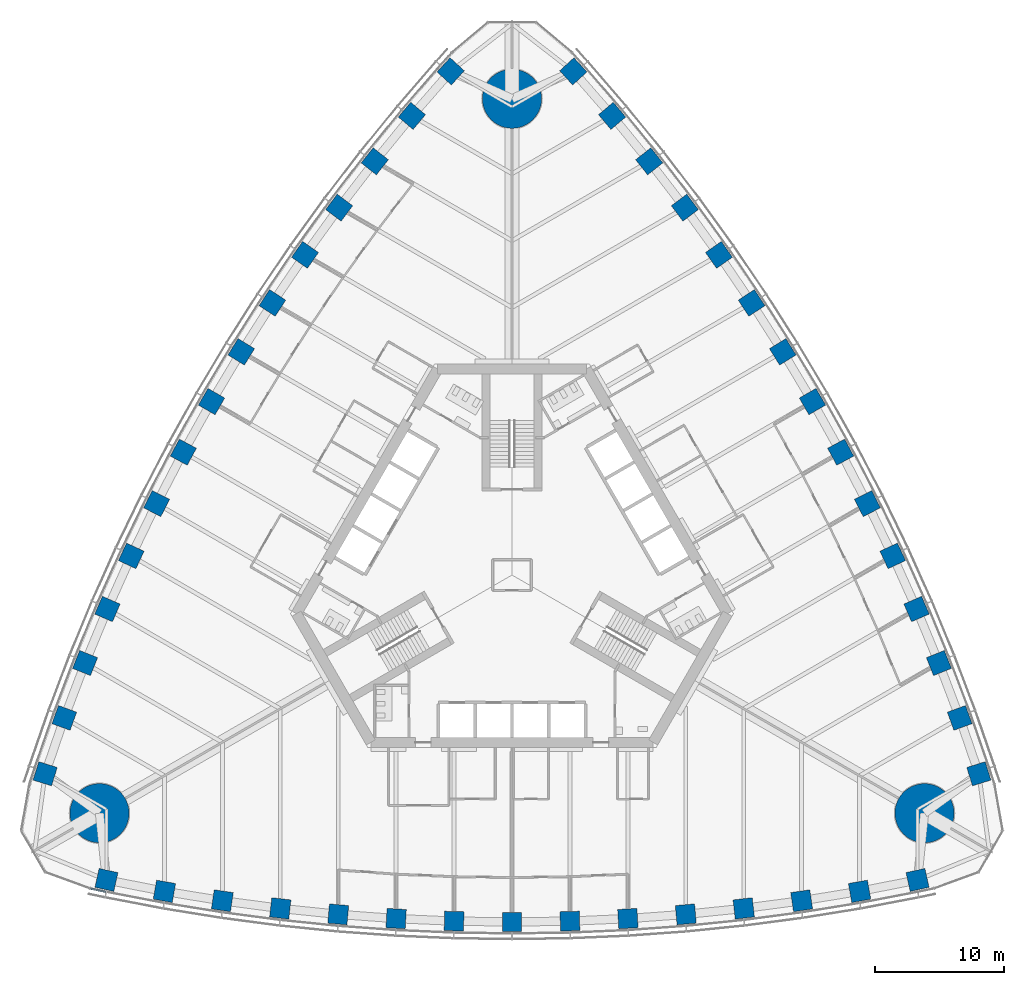
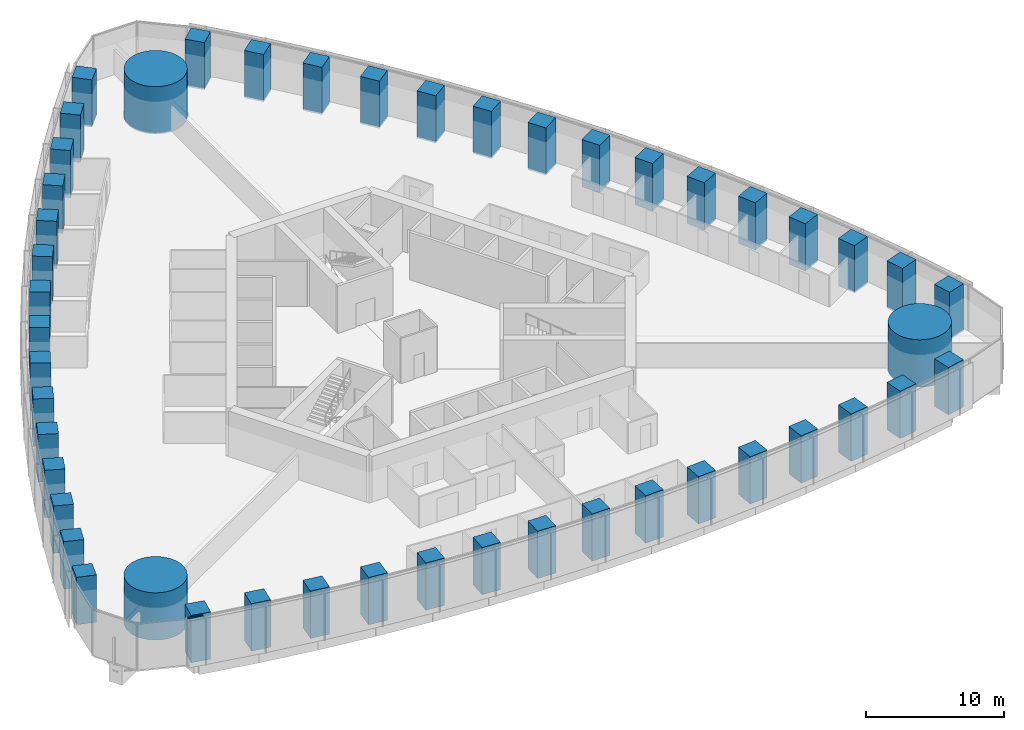
# One storey, part 1 of 18: 48 columns, 1 member, 1 element without a shape of its own.
"""IFC4 building model written with IfcOpenShell, lengths in metres."""

from ifc_helpers import new_model, si_unit, direction, frame, origin, origin_2d, place, context, subcontext, project, spatial, rectangle, circle, extrude, material, material_profile, profile_set, type_object, element, aggregate, save


model = new_model("IFC4")

# Units and contexts
model_context = context("Model", 3, precision=1e-05, world=origin(), true_north=direction((0.0, 1.0)))
body_context = subcontext(model_context, "Body", "Model", "MODEL_VIEW")
ifc_project = project(units=[si_unit("LENGTHUNIT", "METRE"), si_unit("AREAUNIT", "SQUARE_METRE"), si_unit("VOLUMEUNIT", "CUBIC_METRE"), si_unit("PLANEANGLEUNIT", "RADIAN"), si_unit("MASSUNIT", "GRAM", prefix="KILO")], contexts=[model_context])

# Site, building, storey
site_placement = place(None, origin())
site = spatial("IfcSite", under=ifc_project, at=site_placement, CompositionType="ELEMENT")
building_placement = place(site_placement, origin())
building = spatial("IfcBuilding", under=site, at=building_placement, Name="Trefoil Bronze Tower", CompositionType="ELEMENT")
storey_placement = place(building_placement, frame((0.0, 0.0, 29.10009765625)))
storey = spatial("IfcBuildingStorey", under=building, at=storey_placement, Name="L06", CompositionType="ELEMENT", Elevation=29.10009765625)

# Columns
ifc_material_1 = material(Name="Concrete B80", Category="concrete")
ifc_material_profile_1 = material_profile(ifc_material_1, circle(Radius=2.300048828125, at=origin_2d()), Name="RC D4600")
ifc_profile_set_1 = profile_set([ifc_material_profile_1], Name="Concrete B80")
column_type_1 = type_object("IfcColumnType", Name="Mega column RC D4600", PredefinedType="COLUMN", material=ifc_profile_set_1)
for number, where, z_axis, x_axis, name in (
    (1, (32.04296875, -18.5, 0.0), (0.0, 0.0, 1.0), (1.0, 0.0, 0.0), "Mega column K1 L06"),
    (2, (0.0, 37.0, 0.0), (0.0, 0.0, 1.0), (1.0, 0.0, 0.0), "Mega column K2 L06"),
    (3, (-32.04296875, -18.5, 0.0), (0.0, 0.0, 1.0), (1.0, 0.0, 0.0), "Mega column K3 L06"),
):
    element("IfcColumn", number, at=place(storey_placement, frame(where, z_axis=z_axis, x_axis=x_axis)), inside=storey, type_object=column_type_1, Name=name, PredefinedType="COLUMN", context=body_context, shape_type="SweptSolid", body=[
        extrude(circle(Radius=2.300048828125, at=origin_2d()), origin(), (0.0, 0.0, 1.0), 4.199951171875),
    ])
ifc_material_2 = material(Name="Concrete B80", Category="concrete")
ifc_material_profile_2 = material_profile(ifc_material_2, rectangle(XDim=1.5, YDim=1.5, at=origin_2d()), Name="RC 1500x1500")
ifc_profile_set_2 = profile_set([ifc_material_profile_2], Name="Concrete B80")
column_type_2 = type_object("IfcColumnType", Name="Tube column RC 1500x1500", PredefinedType="COLUMN", material=ifc_profile_set_2)
for number, where, z_axis, x_axis, name in (
    (4, (-31.5, -23.684814453125, 0.0), (0.0, 0.0, 1.0), (0.976229647342, -0.216738726697, 0.0), "Tube column F1/-7 L06"),
    (5, (-27.0, -24.56787109375, 0.0), (0.0, 0.0, 1.0), (0.984722470468, -0.174131146426, 0.0), "Tube column F1/-6 L06"),
    (6, (-22.5, -25.29931640625, 0.0), (0.0, 0.0, 1.0), (0.989415676546, -0.145108990094, 0.0), "Tube column F1/-5 L06"),
    (7, (-18.0, -25.895263671875, 0.0), (0.0, 0.0, 1.0), (0.993239048989, -0.116086999973, 0.0), "Tube column F1/-4 L06"),
    (8, (-13.5, -26.35693359375, 0.0), (0.0, 0.0, 1.0), (0.996202620701, -0.087065139456, 0.0), "Tube column F1/-3 L06"),
    (9, (-9.0, -26.68603515625, 0.0), (0.0, 0.0, 1.0), (0.998314062162, -0.058043374207, 0.0), "Tube column F1/-2 L06"),
    (10, (-4.5, -26.883056640625, 0.0), (0.0, 0.0, 1.0), (0.999578782577, -0.029021671584, 0.0), "Tube column F1/-1 L06"),
    (11, (0.0, -26.94873046875, 0.0), (0.0, 0.0, 1.0), (1.0, 0.0, 0.0), "Tube column F1/+0 L06"),
    (12, (4.5, -26.883056640625, 0.0), (0.0, 0.0, 1.0), (0.999578782577, 0.029021671584, 0.0), "Tube column F1/+1 L06"),
    (13, (9.0, -26.68603515625, 0.0), (0.0, 0.0, 1.0), (0.998314062162, 0.058043374207, 0.0), "Tube column F1/+2 L06"),
    (14, (13.5, -26.35693359375, 0.0), (0.0, 0.0, 1.0), (0.996202620701, 0.087065139456, 0.0), "Tube column F1/+3 L06"),
    (15, (18.0, -25.895263671875, 0.0), (0.0, 0.0, 1.0), (0.993239048989, 0.116086999973, 0.0), "Tube column F1/+4 L06"),
    (16, (22.5, -25.29931640625, 0.0), (0.0, 0.0, 1.0), (0.989415676546, 0.145108990094, 0.0), "Tube column F1/+5 L06"),
    (17, (27.0, -24.56787109375, 0.0), (0.0, 0.0, 1.0), (0.984722470468, 0.174131146426, 0.0), "Tube column F1/+6 L06"),
    (18, (31.5, -23.684814453125, 0.0), (0.0, 0.0, 1.0), (0.976229647342, 0.216738726697, 0.0), "Tube column F1/+7 L06"),
    (19, (36.26171875, -15.4375, 0.0), (0.0, 0.0, 1.0), (-0.300413580368, 0.953809037874, 0.0), "Tube column F2/-7 L06"),
    (20, (34.7763671875, -11.0986328125, 0.0), (0.0, 0.0, 1.0), (-0.341559238839, 0.939860248316, 0.0), "Tube column F2/-6 L06"),
    (21, (33.159912109375, -6.8359375, 0.0), (0.0, 0.0, 1.0), (-0.369039766534, 0.929413605838, 0.0), "Tube column F2/-5 L06"),
    (22, (31.42578125, -2.640869140625, 0.0), (0.0, 0.0, 1.0), (-0.396085233469, 0.918213748442, 0.0), "Tube column F2/-4 L06"),
    (23, (29.575927734375, 1.487060546875, 0.0), (0.0, 0.0, 1.0), (-0.422700687798, 0.906269346572, 0.0), "Tube column F2/-3 L06"),
    (24, (27.61083984375, 5.548828125, 0.0), (0.0, 0.0, 1.0), (-0.448889994497, 0.893587025891, 0.0), "Tube column F2/-2 L06"),
    (25, (25.531494140625, 9.54443359375, 0.0), (0.0, 0.0, 1.0), (-0.474655886437, 0.880171454588, 0.0), "Tube column F2/-1 L06"),
    (26, (23.33837890625, 13.474365234375, 0.0), (0.0, 0.0, 1.0), (-0.5, 0.866025403784, 0.0), "Tube column F2/+0 L06"),
    (27, (21.031494140625, 17.338623046875, 0.0), (0.0, 0.0, 1.0), (-0.524922896141, 0.851149783004, 0.0), "Tube column F2/+1 L06"),
    (28, (18.61083984375, 21.13720703125, 0.0), (0.0, 0.0, 1.0), (-0.549424067665, 0.835543651684, 0.0), "Tube column F2/+2 L06"),
    (29, (16.075927734375, 24.869873046875, 0.0), (0.0, 0.0, 1.0), (-0.573501932903, 0.819204207116, 0.0), "Tube column F2/+3 L06"),
    (30, (13.42578125, 28.5361328125, 0.0), (0.0, 0.0, 1.0), (-0.59715381552, 0.802126748469, 0.0), "Tube column F2/+4 L06"),
    (31, (10.659912109375, 32.13525390625, 0.0), (0.0, 0.0, 1.0), (-0.620375910011, 0.784304615744, 0.0), "Tube column F2/+5 L06"),
    (32, (7.7763671875, 35.666748046875, 0.0), (0.0, 0.0, 1.0), (-0.643163231629, 0.765729101889, 0.0), "Tube column F2/+6 L06"),
    (33, (4.76171875, 39.122314453125, 0.0), (0.0, 0.0, 1.0), (-0.675816066975, 0.737070311177, 0.0), "Tube column F2/+7 L06"),
    (34, (-4.76171875, 39.122314453125, 0.0), (0.0, 0.0, 1.0), (-0.675816066975, -0.737070311177, 0.0), "Tube column F3/-7 L06"),
    (35, (-7.7763671875, 35.666748046875, 0.0), (0.0, 0.0, 1.0), (-0.643163231629, -0.765729101889, 0.0), "Tube column F3/-6 L06"),
    (36, (-10.659912109375, 32.13525390625, 0.0), (0.0, 0.0, 1.0), (-0.620375910011, -0.784304615744, 0.0), "Tube column F3/-5 L06"),
    (37, (-13.42578125, 28.5361328125, 0.0), (0.0, 0.0, 1.0), (-0.59715381552, -0.802126748469, 0.0), "Tube column F3/-4 L06"),
    (38, (-16.075927734375, 24.869873046875, 0.0), (0.0, 0.0, 1.0), (-0.573501932903, -0.819204207116, 0.0), "Tube column F3/-3 L06"),
    (39, (-18.61083984375, 21.13720703125, 0.0), (0.0, 0.0, 1.0), (-0.549424067665, -0.835543651684, 0.0), "Tube column F3/-2 L06"),
    (40, (-21.031494140625, 17.338623046875, 0.0), (0.0, 0.0, 1.0), (-0.524922896141, -0.851149783004, 0.0), "Tube column F3/-1 L06"),
    (41, (-23.33837890625, 13.474365234375, 0.0), (0.0, 0.0, 1.0), (-0.5, -0.866025403784, 0.0), "Tube column F3/+0 L06"),
    (42, (-25.531494140625, 9.54443359375, 0.0), (0.0, 0.0, 1.0), (-0.474655886437, -0.880171454588, 0.0), "Tube column F3/+1 L06"),
    (43, (-27.61083984375, 5.548828125, 0.0), (0.0, 0.0, 1.0), (-0.448889994497, -0.893587025891, 0.0), "Tube column F3/+2 L06"),
    (44, (-29.575927734375, 1.487060546875, 0.0), (0.0, 0.0, 1.0), (-0.422700687798, -0.906269346572, 0.0), "Tube column F3/+3 L06"),
    (45, (-31.42578125, -2.640869140625, 0.0), (0.0, 0.0, 1.0), (-0.396085233469, -0.918213748442, 0.0), "Tube column F3/+4 L06"),
    (46, (-33.159912109375, -6.8359375, 0.0), (0.0, 0.0, 1.0), (-0.369039766534, -0.929413605838, 0.0), "Tube column F3/+5 L06"),
    (47, (-34.7763671875, -11.0986328125, 0.0), (0.0, 0.0, 1.0), (-0.341559238839, -0.939860248316, 0.0), "Tube column F3/+6 L06"),
    (48, (-36.26171875, -15.4375, 0.0), (0.0, 0.0, 1.0), (-0.300413580368, -0.953809037874, 0.0), "Tube column F3/+7 L06"),
):
    element("IfcColumn", number, at=place(storey_placement, frame(where, z_axis=z_axis, x_axis=x_axis)), inside=storey, type_object=column_type_2, Name=name, PredefinedType="COLUMN", context=body_context, shape_type="SweptSolid", body=[
        extrude(rectangle(XDim=1.5, YDim=1.5, at=origin_2d()), origin(), (0.0, 0.0, 1.0), 4.199951171875),
    ])

# Curtain wall, member
ifc_material_3 = material(Name="Tinted solar-control glass", Category="glass")
curtain_wall_type = type_object("IfcCurtainWallType", Name="Bronze office curtain wall", PredefinedType="USERDEFINED", material=ifc_material_3)
curtain_wall_placement = place(storey_placement, origin())
curtain_wall = element("IfcCurtainWall", 49, at=curtain_wall_placement, inside=storey, type_object=curtain_wall_type, Name="CW-A L06 F1", ObjectType="CURTAIN WALL", PredefinedType="USERDEFINED")
ifc_material_4 = material(Name="Bronze-finish aluminium", Category="aluminium")
ifc_material_profile_3 = material_profile(ifc_material_4, rectangle(XDim=0.1201171875, YDim=0.10009765625, at=origin_2d()), Name="CW-A transom")
ifc_profile_set_3 = profile_set([ifc_material_profile_3], Name="Bronze-finish aluminium")
member_type = type_object("IfcMemberType", Name="Bronze office curtain wall transom", PredefinedType="USERDEFINED", material=ifc_profile_set_3)
member_placement = place(storey_placement, frame((-32.743896484375, -24.354736328125, 4.1298828125), z_axis=(0.978266371807, -0.207352129942, 0.0), x_axis=(0.207352129942, 0.978266371807, 0.0)))
member = element("IfcMember", 50, at=member_placement, type_object=member_type, Name="CW-A L06 F1 transom 1", ObjectType="TRANSOM", PredefinedType="USERDEFINED", context=body_context, shape_type="SweptSolid", body=[
    extrude(rectangle(XDim=0.1201171875, YDim=0.10009765625, at=origin_2d()), origin(), (0.0, 0.0, 1.0), 1.21044921875),
])
aggregate(curtain_wall, [member])

save(model, "model.ifc")
